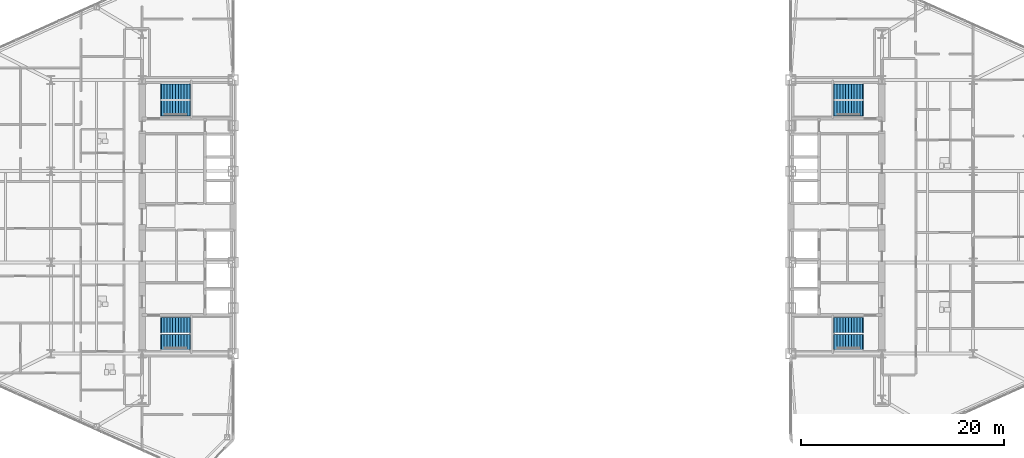
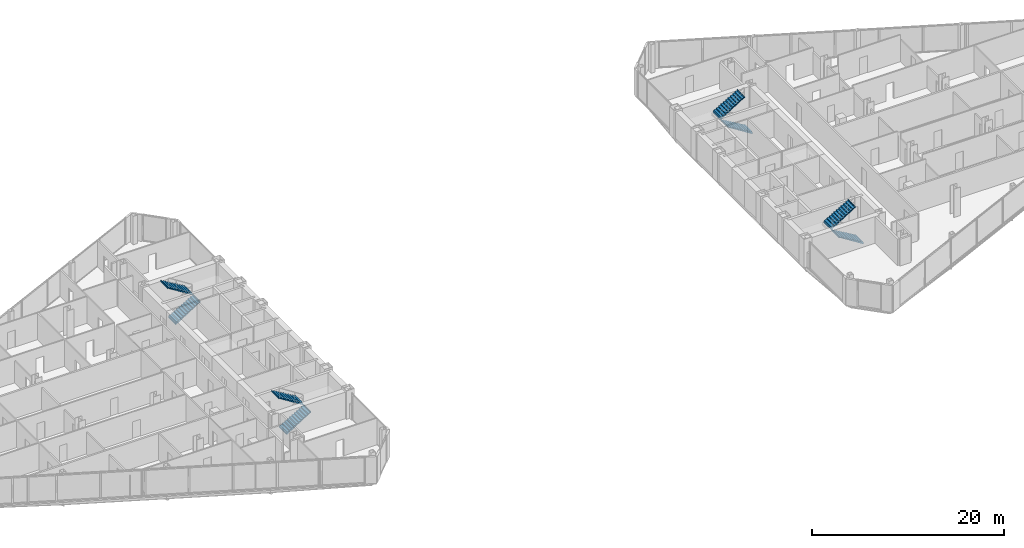
# One storey, part 25 of 27: 8 stair flights, 4 elements without a shape of their own.
"""IFC4 building model written with IfcOpenShell, lengths in metres."""

from ifc_helpers import new_model, si_unit, direction, frame, origin, place, context, subcontext, project, spatial, polyline, outline, extrude, material, type_object, element, aggregate, save


model = new_model("IFC4")

# Units and contexts
model_context = context("Model", 3, precision=1e-05, world=origin(), true_north=direction((0.0, 1.0)))
body_context = subcontext(model_context, "Body", "Model", "MODEL_VIEW")
ifc_project = project(units=[si_unit("LENGTHUNIT", "METRE"), si_unit("AREAUNIT", "SQUARE_METRE"), si_unit("VOLUMEUNIT", "CUBIC_METRE"), si_unit("PLANEANGLEUNIT", "RADIAN"), si_unit("MASSUNIT", "GRAM", prefix="KILO")], contexts=[model_context])

# Site, building, storey
site_placement = place(None, origin())
site = spatial("IfcSite", under=ifc_project, at=site_placement, CompositionType="ELEMENT")
building_placement = place(site_placement, origin())
building = spatial("IfcBuilding", under=site, at=building_placement, Name="Seokmaru Belvedere", CompositionType="ELEMENT")
storey_placement = place(building_placement, frame((0.0, 0.0, 106.800048828125)))
storey = spatial("IfcBuildingStorey", under=building, at=storey_placement, Name="L28", CompositionType="ELEMENT", Elevation=106.800048828125)

# Stair, stair flights
ifc_material = material(Name="Concrete C40 (40 MPa)", Category="concrete")
stair_type = type_object("IfcStairType", Name="Typical Tower Core Dog-Leg Stair 3600", PredefinedType="TWO_STRAIGHT_RUN_STAIR", material=ifc_material)
stair_1_placement = place(storey_placement, origin())
stair_1 = element("IfcStair", 1, at=stair_1_placement, inside=storey, type_object=stair_type, Name="L28 Special Escape Stair ST-W1", PredefinedType="TWO_STRAIGHT_RUN_STAIR")
stair_flight_type = type_object("IfcStairFlightType", Name="Reinforced Concrete Stair Flight 1500", PredefinedType="STRAIGHT", material=ifc_material)
stair_flight_1_placement = place(storey_placement, frame((-34.60009765625, -12.35009765625, 0.0), z_axis=(0.0, 0.0, 1.0), x_axis=(1.0, 0.0, 0.0)))
stair_flight_1 = element("IfcStairFlight", 2, at=stair_flight_1_placement, type_object=stair_flight_type, Name="ST-W1 flight 1", NumberOfRisers=11, NumberOfTreads=10, PredefinedType="STRAIGHT", RiserHeight=0.163636364, TreadLength=0.28, context=body_context, shape_type="SweptSolid", body=[
    extrude(outline(polyline([(-0.080078125, 0.0), (0.0, 0.16357421875), (0.280029296875, 0.16357421875), (0.280029296875, 0.327392578125), (0.56005859375, 0.327392578125), (0.56005859375, 0.490966796875), (0.840087890625, 0.490966796875), (0.840087890625, 0.654541015625), (1.1201171875, 0.654541015625), (1.1201171875, 0.818115234375), (1.39990234375, 0.818115234375), (1.39990234375, 0.98193359375), (1.679931640625, 0.98193359375), (1.679931640625, 1.1455078125), (1.9599609375, 1.1455078125), (1.9599609375, 1.30908203125), (2.239990234375, 1.30908203125), (2.239990234375, 1.47265625), (2.52001953125, 1.47265625), (2.52001953125, 1.636474609375), (2.800048828125, 1.636474609375), (2.800048828125, 1.800048828125), (2.8798828125, 1.800048828125), (2.8798828125, 1.610107421875), (2.800048828125, 1.610107421875), (0.0, -0.159912109375), (-0.080078125, -0.159912109375), (-0.080078125, 0.0)])), frame((0.0, 0.75, 0.0), z_axis=(0.0, -1.0, 0.0), x_axis=(1.0, 0.0, 0.0)), (0.0, 0.0, 1.0), 1.5),
])
stair_flight_2_placement = place(storey_placement, frame((-31.800048828125, -10.7099609375, 1.800048828125), z_axis=(0.0, 0.0, 1.0), x_axis=(-1.0, 0.0, 0.0)))
stair_flight_2 = element("IfcStairFlight", 3, at=stair_flight_2_placement, type_object=stair_flight_type, Name="ST-W1 flight 2", NumberOfRisers=11, NumberOfTreads=10, PredefinedType="STRAIGHT", RiserHeight=0.163636364, TreadLength=0.28, context=body_context, shape_type="SweptSolid", body=[
    extrude(outline(polyline([(-0.080078125, 0.0), (0.0, 0.16357421875), (0.280029296875, 0.16357421875), (0.280029296875, 0.327392578125), (0.56005859375, 0.327392578125), (0.56005859375, 0.490966796875), (0.840087890625, 0.490966796875), (0.840087890625, 0.654541015625), (1.1201171875, 0.654541015625), (1.1201171875, 0.818115234375), (1.39990234375, 0.818115234375), (1.39990234375, 0.98193359375), (1.679931640625, 0.98193359375), (1.679931640625, 1.1455078125), (1.9599609375, 1.1455078125), (1.9599609375, 1.30908203125), (2.239990234375, 1.30908203125), (2.239990234375, 1.47265625), (2.52001953125, 1.47265625), (2.52001953125, 1.636474609375), (2.800048828125, 1.636474609375), (2.800048828125, 1.800048828125), (2.8798828125, 1.800048828125), (2.8798828125, 1.610107421875), (2.800048828125, 1.610107421875), (0.0, -0.159912109375), (-0.080078125, -0.159912109375), (-0.080078125, 0.0)])), frame((0.0, 0.75, 0.0), z_axis=(0.0, -1.0, 0.0), x_axis=(1.0, 0.0, 0.0)), (0.0, 0.0, 1.0), 1.5),
])
aggregate(stair_1, [stair_flight_1, stair_flight_2])

stair_2_placement = place(storey_placement, origin())
stair_2 = element("IfcStair", 4, at=stair_2_placement, inside=storey, type_object=stair_type, Name="L28 Special Escape Stair ST-W2", PredefinedType="TWO_STRAIGHT_RUN_STAIR")
stair_flight_3_placement = place(storey_placement, frame((-34.60009765625, 10.7099609375, 0.0), z_axis=(0.0, 0.0, 1.0), x_axis=(1.0, 0.0, 0.0)))
stair_flight_3 = element("IfcStairFlight", 5, at=stair_flight_3_placement, type_object=stair_flight_type, Name="ST-W2 flight 1", NumberOfRisers=11, NumberOfTreads=10, PredefinedType="STRAIGHT", RiserHeight=0.163636364, TreadLength=0.28, context=body_context, shape_type="SweptSolid", body=[
    extrude(outline(polyline([(-0.080078125, 0.0), (0.0, 0.16357421875), (0.280029296875, 0.16357421875), (0.280029296875, 0.327392578125), (0.56005859375, 0.327392578125), (0.56005859375, 0.490966796875), (0.840087890625, 0.490966796875), (0.840087890625, 0.654541015625), (1.1201171875, 0.654541015625), (1.1201171875, 0.818115234375), (1.39990234375, 0.818115234375), (1.39990234375, 0.98193359375), (1.679931640625, 0.98193359375), (1.679931640625, 1.1455078125), (1.9599609375, 1.1455078125), (1.9599609375, 1.30908203125), (2.239990234375, 1.30908203125), (2.239990234375, 1.47265625), (2.52001953125, 1.47265625), (2.52001953125, 1.636474609375), (2.800048828125, 1.636474609375), (2.800048828125, 1.800048828125), (2.8798828125, 1.800048828125), (2.8798828125, 1.610107421875), (2.800048828125, 1.610107421875), (0.0, -0.159912109375), (-0.080078125, -0.159912109375), (-0.080078125, 0.0)])), frame((0.0, 0.75, 0.0), z_axis=(0.0, -1.0, 0.0), x_axis=(1.0, 0.0, 0.0)), (0.0, 0.0, 1.0), 1.5),
])
stair_flight_4_placement = place(storey_placement, frame((-31.800048828125, 12.35009765625, 1.800048828125), z_axis=(0.0, 0.0, 1.0), x_axis=(-1.0, 0.0, 0.0)))
stair_flight_4 = element("IfcStairFlight", 6, at=stair_flight_4_placement, type_object=stair_flight_type, Name="ST-W2 flight 2", NumberOfRisers=11, NumberOfTreads=10, PredefinedType="STRAIGHT", RiserHeight=0.163636364, TreadLength=0.28, context=body_context, shape_type="SweptSolid", body=[
    extrude(outline(polyline([(-0.080078125, 0.0), (0.0, 0.16357421875), (0.280029296875, 0.16357421875), (0.280029296875, 0.327392578125), (0.56005859375, 0.327392578125), (0.56005859375, 0.490966796875), (0.840087890625, 0.490966796875), (0.840087890625, 0.654541015625), (1.1201171875, 0.654541015625), (1.1201171875, 0.818115234375), (1.39990234375, 0.818115234375), (1.39990234375, 0.98193359375), (1.679931640625, 0.98193359375), (1.679931640625, 1.1455078125), (1.9599609375, 1.1455078125), (1.9599609375, 1.30908203125), (2.239990234375, 1.30908203125), (2.239990234375, 1.47265625), (2.52001953125, 1.47265625), (2.52001953125, 1.636474609375), (2.800048828125, 1.636474609375), (2.800048828125, 1.800048828125), (2.8798828125, 1.800048828125), (2.8798828125, 1.610107421875), (2.800048828125, 1.610107421875), (0.0, -0.159912109375), (-0.080078125, -0.159912109375), (-0.080078125, 0.0)])), frame((0.0, 0.75, 0.0), z_axis=(0.0, -1.0, 0.0), x_axis=(1.0, 0.0, 0.0)), (0.0, 0.0, 1.0), 1.5),
])
aggregate(stair_2, [stair_flight_3, stair_flight_4])

stair_3_placement = place(storey_placement, origin())
stair_3 = element("IfcStair", 7, at=stair_3_placement, inside=storey, type_object=stair_type, Name="L28 Special Escape Stair ST-E1", PredefinedType="TWO_STRAIGHT_RUN_STAIR")
stair_flight_5_placement = place(storey_placement, frame((34.60009765625, -12.35009765625, 0.0), z_axis=(0.0, 0.0, 1.0), x_axis=(-1.0, 0.0, 0.0)))
stair_flight_5 = element("IfcStairFlight", 8, at=stair_flight_5_placement, type_object=stair_flight_type, Name="ST-E1 flight 1", NumberOfRisers=11, NumberOfTreads=10, PredefinedType="STRAIGHT", RiserHeight=0.163636364, TreadLength=0.28, context=body_context, shape_type="SweptSolid", body=[
    extrude(outline(polyline([(-0.080078125, 0.0), (0.0, 0.16357421875), (0.280029296875, 0.16357421875), (0.280029296875, 0.327392578125), (0.56005859375, 0.327392578125), (0.56005859375, 0.490966796875), (0.840087890625, 0.490966796875), (0.840087890625, 0.654541015625), (1.1201171875, 0.654541015625), (1.1201171875, 0.818115234375), (1.39990234375, 0.818115234375), (1.39990234375, 0.98193359375), (1.679931640625, 0.98193359375), (1.679931640625, 1.1455078125), (1.9599609375, 1.1455078125), (1.9599609375, 1.30908203125), (2.239990234375, 1.30908203125), (2.239990234375, 1.47265625), (2.52001953125, 1.47265625), (2.52001953125, 1.636474609375), (2.800048828125, 1.636474609375), (2.800048828125, 1.800048828125), (2.8798828125, 1.800048828125), (2.8798828125, 1.610107421875), (2.800048828125, 1.610107421875), (0.0, -0.159912109375), (-0.080078125, -0.159912109375), (-0.080078125, 0.0)])), frame((0.0, 0.75, 0.0), z_axis=(0.0, -1.0, 0.0), x_axis=(1.0, 0.0, 0.0)), (0.0, 0.0, 1.0), 1.5),
])
stair_flight_6_placement = place(storey_placement, frame((31.800048828125, -10.7099609375, 1.800048828125), z_axis=(0.0, 0.0, 1.0), x_axis=(1.0, 0.0, 0.0)))
stair_flight_6 = element("IfcStairFlight", 9, at=stair_flight_6_placement, type_object=stair_flight_type, Name="ST-E1 flight 2", NumberOfRisers=11, NumberOfTreads=10, PredefinedType="STRAIGHT", RiserHeight=0.163636364, TreadLength=0.28, context=body_context, shape_type="SweptSolid", body=[
    extrude(outline(polyline([(-0.080078125, 0.0), (0.0, 0.16357421875), (0.280029296875, 0.16357421875), (0.280029296875, 0.327392578125), (0.56005859375, 0.327392578125), (0.56005859375, 0.490966796875), (0.840087890625, 0.490966796875), (0.840087890625, 0.654541015625), (1.1201171875, 0.654541015625), (1.1201171875, 0.818115234375), (1.39990234375, 0.818115234375), (1.39990234375, 0.98193359375), (1.679931640625, 0.98193359375), (1.679931640625, 1.1455078125), (1.9599609375, 1.1455078125), (1.9599609375, 1.30908203125), (2.239990234375, 1.30908203125), (2.239990234375, 1.47265625), (2.52001953125, 1.47265625), (2.52001953125, 1.636474609375), (2.800048828125, 1.636474609375), (2.800048828125, 1.800048828125), (2.8798828125, 1.800048828125), (2.8798828125, 1.610107421875), (2.800048828125, 1.610107421875), (0.0, -0.159912109375), (-0.080078125, -0.159912109375), (-0.080078125, 0.0)])), frame((0.0, 0.75, 0.0), z_axis=(0.0, -1.0, 0.0), x_axis=(1.0, 0.0, 0.0)), (0.0, 0.0, 1.0), 1.5),
])
aggregate(stair_3, [stair_flight_5, stair_flight_6])

stair_4_placement = place(storey_placement, origin())
stair_4 = element("IfcStair", 10, at=stair_4_placement, inside=storey, type_object=stair_type, Name="L28 Special Escape Stair ST-E2", PredefinedType="TWO_STRAIGHT_RUN_STAIR")
stair_flight_7_placement = place(storey_placement, frame((34.60009765625, 10.7099609375, 0.0), z_axis=(0.0, 0.0, 1.0), x_axis=(-1.0, 0.0, 0.0)))
stair_flight_7 = element("IfcStairFlight", 11, at=stair_flight_7_placement, type_object=stair_flight_type, Name="ST-E2 flight 1", NumberOfRisers=11, NumberOfTreads=10, PredefinedType="STRAIGHT", RiserHeight=0.163636364, TreadLength=0.28, context=body_context, shape_type="SweptSolid", body=[
    extrude(outline(polyline([(-0.080078125, 0.0), (0.0, 0.16357421875), (0.280029296875, 0.16357421875), (0.280029296875, 0.327392578125), (0.56005859375, 0.327392578125), (0.56005859375, 0.490966796875), (0.840087890625, 0.490966796875), (0.840087890625, 0.654541015625), (1.1201171875, 0.654541015625), (1.1201171875, 0.818115234375), (1.39990234375, 0.818115234375), (1.39990234375, 0.98193359375), (1.679931640625, 0.98193359375), (1.679931640625, 1.1455078125), (1.9599609375, 1.1455078125), (1.9599609375, 1.30908203125), (2.239990234375, 1.30908203125), (2.239990234375, 1.47265625), (2.52001953125, 1.47265625), (2.52001953125, 1.636474609375), (2.800048828125, 1.636474609375), (2.800048828125, 1.800048828125), (2.8798828125, 1.800048828125), (2.8798828125, 1.610107421875), (2.800048828125, 1.610107421875), (0.0, -0.159912109375), (-0.080078125, -0.159912109375), (-0.080078125, 0.0)])), frame((0.0, 0.75, 0.0), z_axis=(0.0, -1.0, 0.0), x_axis=(1.0, 0.0, 0.0)), (0.0, 0.0, 1.0), 1.5),
])
stair_flight_8_placement = place(storey_placement, frame((31.800048828125, 12.35009765625, 1.800048828125), z_axis=(0.0, 0.0, 1.0), x_axis=(1.0, 0.0, 0.0)))
stair_flight_8 = element("IfcStairFlight", 12, at=stair_flight_8_placement, type_object=stair_flight_type, Name="ST-E2 flight 2", NumberOfRisers=11, NumberOfTreads=10, PredefinedType="STRAIGHT", RiserHeight=0.163636364, TreadLength=0.28, context=body_context, shape_type="SweptSolid", body=[
    extrude(outline(polyline([(-0.080078125, 0.0), (0.0, 0.16357421875), (0.280029296875, 0.16357421875), (0.280029296875, 0.327392578125), (0.56005859375, 0.327392578125), (0.56005859375, 0.490966796875), (0.840087890625, 0.490966796875), (0.840087890625, 0.654541015625), (1.1201171875, 0.654541015625), (1.1201171875, 0.818115234375), (1.39990234375, 0.818115234375), (1.39990234375, 0.98193359375), (1.679931640625, 0.98193359375), (1.679931640625, 1.1455078125), (1.9599609375, 1.1455078125), (1.9599609375, 1.30908203125), (2.239990234375, 1.30908203125), (2.239990234375, 1.47265625), (2.52001953125, 1.47265625), (2.52001953125, 1.636474609375), (2.800048828125, 1.636474609375), (2.800048828125, 1.800048828125), (2.8798828125, 1.800048828125), (2.8798828125, 1.610107421875), (2.800048828125, 1.610107421875), (0.0, -0.159912109375), (-0.080078125, -0.159912109375), (-0.080078125, 0.0)])), frame((0.0, 0.75, 0.0), z_axis=(0.0, -1.0, 0.0), x_axis=(1.0, 0.0, 0.0)), (0.0, 0.0, 1.0), 1.5),
])
aggregate(stair_4, [stair_flight_7, stair_flight_8])

save(model, "model.ifc")
